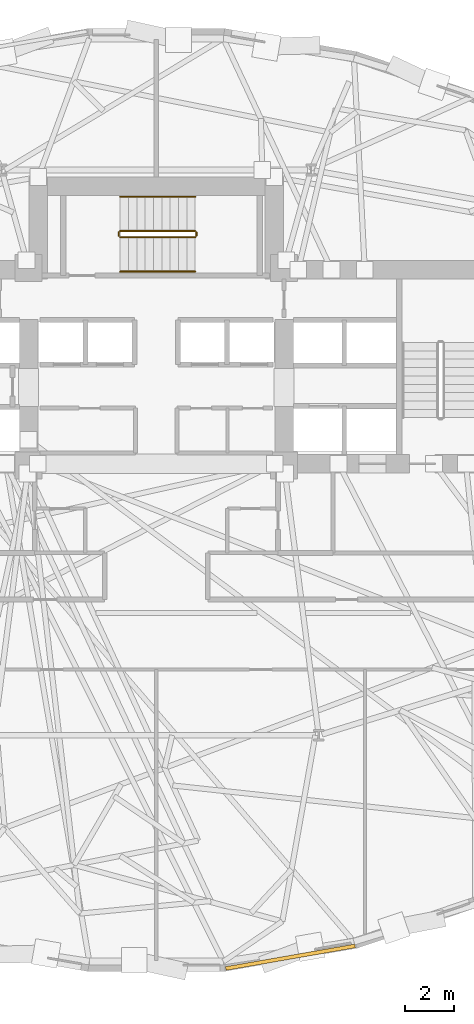
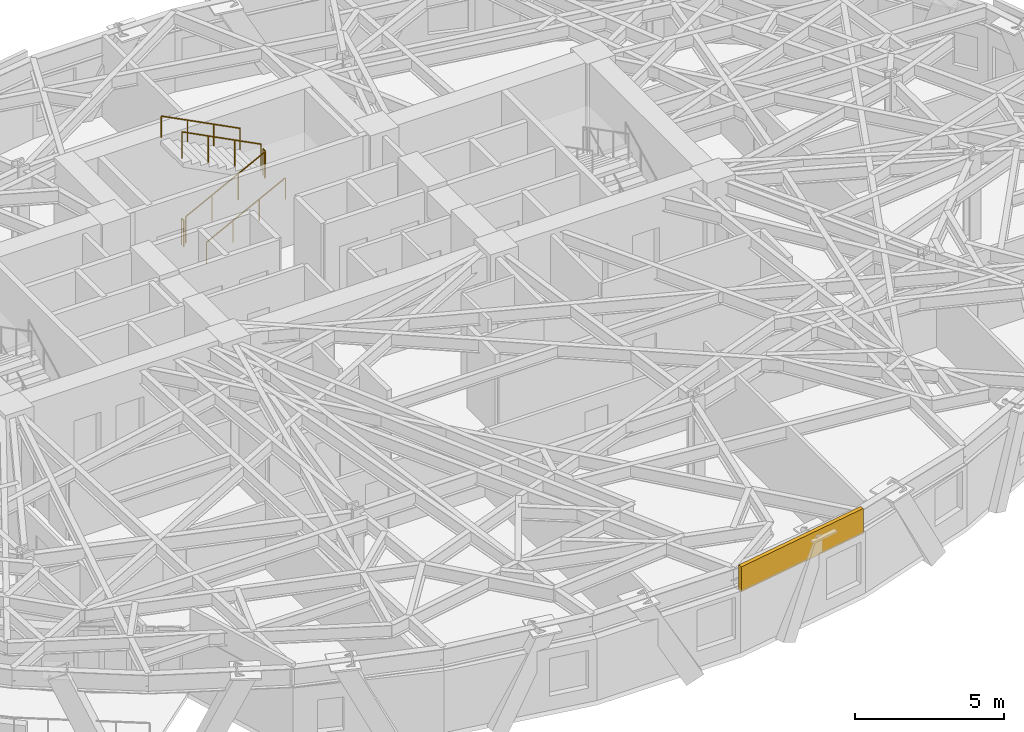
# One storey, part 15 of 17: 6 railings, 1 covering.
"""IFC4 building model written with IfcOpenShell, lengths in metres."""

from ifc_helpers import new_model, si_unit, direction, frame, origin, origin_2d, place, context, subcontext, project, spatial, rectangle, circle, extrude, material, layer, layer_set, type_object, element, save


model = new_model("IFC4")

# Units and contexts
model_context = context("Model", 3, precision=1e-05, world=origin(), true_north=direction((0.0, 1.0)))
body_context = subcontext(model_context, "Body", "Model", "MODEL_VIEW")
ifc_project = project(units=[si_unit("LENGTHUNIT", "METRE"), si_unit("AREAUNIT", "SQUARE_METRE"), si_unit("VOLUMEUNIT", "CUBIC_METRE"), si_unit("PLANEANGLEUNIT", "RADIAN"), si_unit("MASSUNIT", "GRAM", prefix="KILO")], contexts=[model_context])

# Site, building, storey
site_placement = place(None, origin())
site = spatial("IfcSite", under=ifc_project, at=site_placement, CompositionType="ELEMENT")
building_placement = place(site_placement, origin())
building = spatial("IfcBuilding", under=site, at=building_placement, Name="Keldmark Tower", CompositionType="ELEMENT")
storey_placement = place(building_placement, frame((0.0, 0.0, 96.60009765625)))
storey = spatial("IfcBuildingStorey", under=building, at=storey_placement, Name="L25", CompositionType="ELEMENT", Elevation=96.60009765625)

# Covering
ifc_material_1 = material(Name="Honed Kasota Buff Dolomitic Limestone", Category="masonry")
ifc_layer = layer(ifc_material_1, 0.074951171875)
ifc_layer_set = layer_set([ifc_layer], Name="Honed Kasota Buff Dolomitic Limestone")
covering_type = type_object("IfcCoveringType", Name="Kasota Buff Limestone Spandrel Cladding Band", PredefinedType="CLADDING", material=ifc_layer_set)
covering_placement = place(storey_placement, frame((5.459228515625, -18.61376953125, 2.45166015625), z_axis=(0.0, 0.0, 1.0), x_axis=(0.985076299982, 0.172118224523, 0.0)))
element("IfcCovering", 1, at=covering_placement, inside=storey, type_object=covering_type, Name="L25 Kasota Limestone Spandrel Band 25", PredefinedType="CLADDING", context=body_context, shape_type="SweptSolid", body=[
    extrude(rectangle(XDim=5.3408203125, YDim=0.14990234375, at=origin_2d()), origin(), (0.0, 0.0, 1.0), 1.028076171875),
])

# Railings
ifc_material_2 = material(Name="Painted Steel ASTM A500 Grade B", Category="steel")
railing_type_1 = type_object("IfcRailingType", Name="Painted Steel Stair Well Guard 1100 mm", PredefinedType="GUARDRAIL", material=ifc_material_2)
railing_1_placement = place(storey_placement, frame((-1.47509765625, 10.699951171875, 0.1748046875)))
element("IfcRailing", 2, at=railing_1_placement, inside=storey, type_object=railing_type_1, Name="L25 ST3 stair guard 1", PredefinedType="GUARDRAIL", context=body_context, shape_type="SweptSolid", body=[
    extrude(circle(Radius=0.02392578125, at=origin_2d()), frame((0.0, 0.0, 1.076171875), z_axis=(0.889116283586, 0.0, 0.457681367616), x_axis=(0.0, 1.0, 0.0)), (0.0, 0.0, 1.0), 3.441650390625),
    extrude(circle(Radius=0.02099609375, at=origin_2d()), origin(), (0.0, 0.0, 1.0), 1.052001953125),
    extrude(circle(Radius=0.02099609375, at=origin_2d()), frame((1.02001953125, 0.0, 0.525146484375)), (0.0, 0.0, 1.0), 1.052001953125),
    extrude(circle(Radius=0.02099609375, at=origin_2d()), frame((2.0400390625, 0.0, 1.050048828125)), (0.0, 0.0, 1.0), 1.052001953125),
    extrude(circle(Radius=0.02099609375, at=origin_2d()), frame((3.06005859375, 0.0, 1.5751953125)), (0.0, 0.0, 1.0), 1.052001953125),
])
railing_2_placement = place(storey_placement, frame((1.635009765625, 10.75, 1.75)))
element("IfcRailing", 3, at=railing_2_placement, inside=storey, type_object=railing_type_1, Name="L25 ST3 stair guard 2", PredefinedType="GUARDRAIL", context=body_context, shape_type="SweptSolid", body=[
    extrude(circle(Radius=0.02392578125, at=origin_2d()), frame((0.0, 0.0, 1.076171875), z_axis=(0.0, 1.0, 0.0), x_axis=(-1.0, 0.0, 0.0)), (0.0, 0.0, 1.0), 0.14990234375),
    extrude(circle(Radius=0.02099609375, at=origin_2d()), origin(), (0.0, 0.0, 1.0), 1.052001953125),
    extrude(circle(Radius=0.02099609375, at=origin_2d()), frame((0.0, 0.14990234375, 0.0)), (0.0, 0.0, 1.0), 1.052001953125),
])
railing_3_placement = place(storey_placement, frame((1.5849609375, 10.949951171875, 1.9248046875)))
element("IfcRailing", 4, at=railing_3_placement, inside=storey, type_object=railing_type_1, Name="L25 ST3 stair guard 3", PredefinedType="GUARDRAIL", context=body_context, shape_type="SweptSolid", body=[
    extrude(circle(Radius=0.02392578125, at=origin_2d()), frame((0.0, 0.0, 1.076171875), z_axis=(-0.889116283586, 0.0, 0.457681367616), x_axis=(0.0, -1.0, 0.0)), (0.0, 0.0, 1.0), 3.441650390625),
    extrude(circle(Radius=0.02099609375, at=origin_2d()), origin(), (0.0, 0.0, 1.0), 1.052001953125),
    extrude(circle(Radius=0.02099609375, at=origin_2d()), frame((-1.02001953125, 0.0, 0.525146484375)), (0.0, 0.0, 1.0), 1.052001953125),
    extrude(circle(Radius=0.02099609375, at=origin_2d()), frame((-2.0400390625, 0.0, 1.050048828125)), (0.0, 0.0, 1.0), 1.052001953125),
    extrude(circle(Radius=0.02099609375, at=origin_2d()), frame((-3.06005859375, 0.0, 1.5751953125)), (0.0, 0.0, 1.0), 1.052001953125),
])
railing_4_placement = place(storey_placement, frame((-1.52490234375, 10.75, 0.0)))
element("IfcRailing", 5, at=railing_4_placement, inside=storey, type_object=railing_type_1, Name="L25 ST3 stair guard 4", PredefinedType="GUARDRAIL", context=body_context, shape_type="SweptSolid", body=[
    extrude(circle(Radius=0.02392578125, at=origin_2d()), frame((0.0, 0.0, 1.076171875), z_axis=(0.0, 1.0, 0.0), x_axis=(-1.0, 0.0, 0.0)), (0.0, 0.0, 1.0), 0.14990234375),
    extrude(circle(Radius=0.02099609375, at=origin_2d()), origin(), (0.0, 0.0, 1.0), 1.052001953125),
    extrude(circle(Radius=0.02099609375, at=origin_2d()), frame((0.0, 0.14990234375, 0.0)), (0.0, 0.0, 1.0), 1.052001953125),
])
ifc_material_3 = material(Name="Stainless Steel AISI 316L", Category="steel")
railing_type_2 = type_object("IfcRailingType", Name="Stainless Steel Stair Handrail 900 mm", PredefinedType="HANDRAIL", material=ifc_material_3)
railing_5_placement = place(storey_placement, frame((-1.47509765625, 9.300048828125, 0.1748046875)))
element("IfcRailing", 6, at=railing_5_placement, inside=storey, type_object=railing_type_2, Name="L25 ST3 stair handrail 1", PredefinedType="HANDRAIL", context=body_context, shape_type="SweptSolid", body=[
    extrude(circle(Radius=0.02392578125, at=origin_2d()), frame((0.0, 0.0, 0.8759765625), z_axis=(0.889116283586, 0.0, 0.457681367616), x_axis=(0.0, 1.0, 0.0)), (0.0, 0.0, 1.0), 3.441650390625),
    extrude(circle(Radius=0.02099609375, at=origin_2d()), origin(), (0.0, 0.0, 1.0), 0.851806640625),
    extrude(circle(Radius=0.02099609375, at=origin_2d()), frame((1.02001953125, 0.0, 0.525146484375)), (0.0, 0.0, 1.0), 0.851806640625),
    extrude(circle(Radius=0.02099609375, at=origin_2d()), frame((2.0400390625, 0.0, 1.050048828125)), (0.0, 0.0, 1.0), 0.851806640625),
    extrude(circle(Radius=0.02099609375, at=origin_2d()), frame((3.06005859375, 0.0, 1.5751953125)), (0.0, 0.0, 1.0), 0.851806640625),
])
railing_6_placement = place(storey_placement, frame((1.5849609375, 12.35009765625, 1.9248046875)))
element("IfcRailing", 7, at=railing_6_placement, inside=storey, type_object=railing_type_2, Name="L25 ST3 stair handrail 2", PredefinedType="HANDRAIL", context=body_context, shape_type="SweptSolid", body=[
    extrude(circle(Radius=0.02392578125, at=origin_2d()), frame((0.0, 0.0, 0.8759765625), z_axis=(-0.889116283586, 0.0, 0.457681367616), x_axis=(0.0, -1.0, 0.0)), (0.0, 0.0, 1.0), 3.441650390625),
    extrude(circle(Radius=0.02099609375, at=origin_2d()), origin(), (0.0, 0.0, 1.0), 0.851806640625),
    extrude(circle(Radius=0.02099609375, at=origin_2d()), frame((-1.02001953125, 0.0, 0.525146484375)), (0.0, 0.0, 1.0), 0.851806640625),
    extrude(circle(Radius=0.02099609375, at=origin_2d()), frame((-2.0400390625, 0.0, 1.050048828125)), (0.0, 0.0, 1.0), 0.851806640625),
    extrude(circle(Radius=0.02099609375, at=origin_2d()), frame((-3.06005859375, 0.0, 1.5751953125)), (0.0, 0.0, 1.0), 0.851806640625),
])

save(model, "model.ifc")
